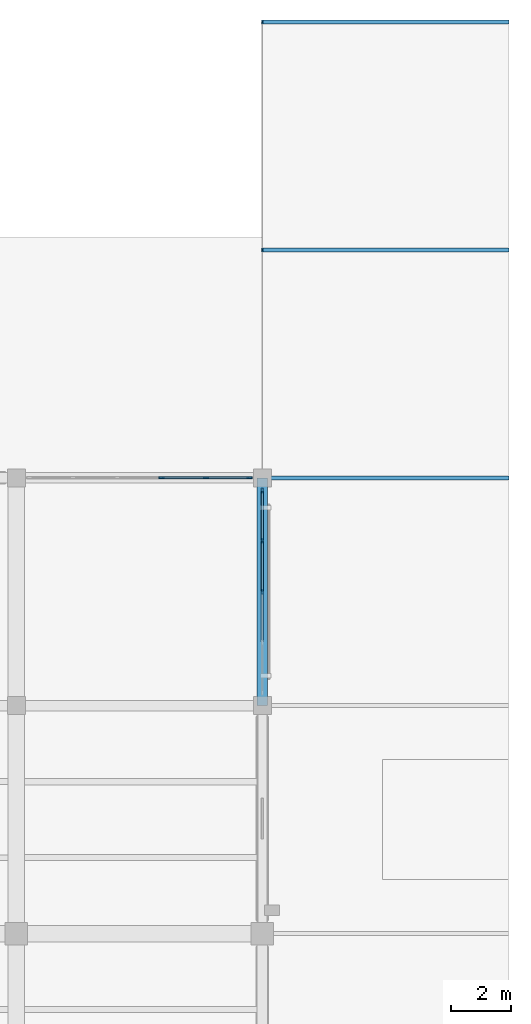
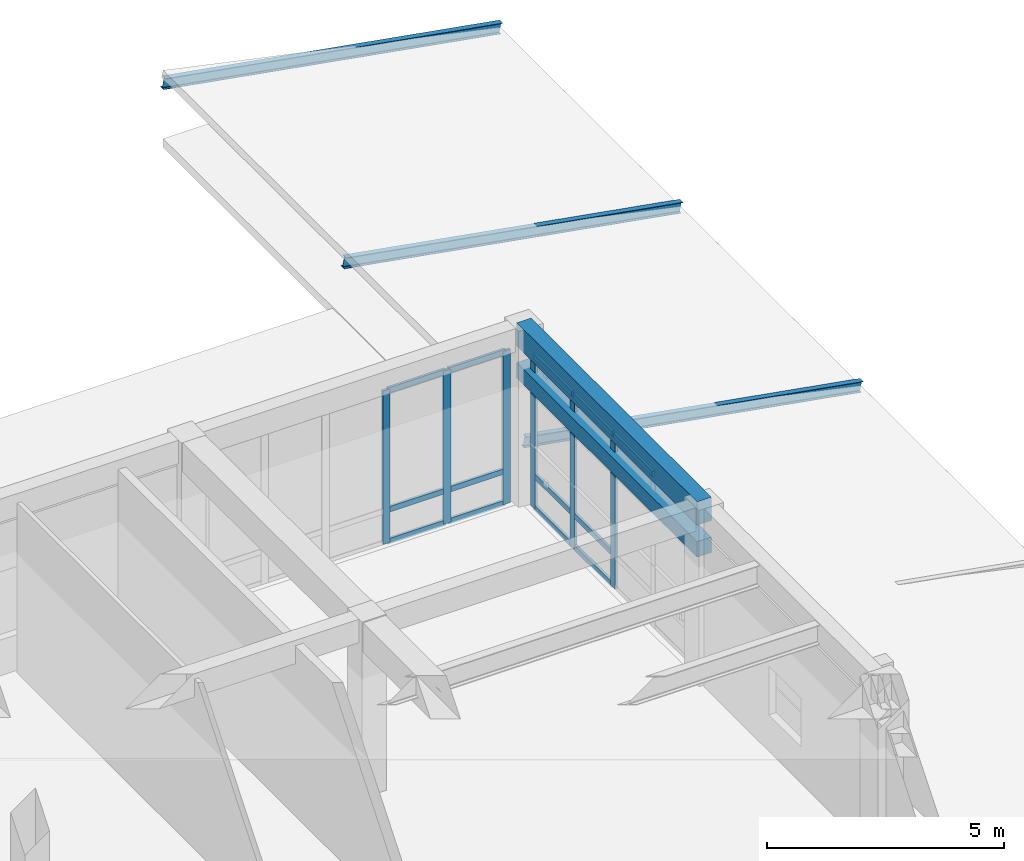
# One storey, part 27 of 57: 22 members, 2 beams, 2 elements without a shape of their own.
"""IFC4 building model written with IfcOpenShell, lengths in metres."""

from ifc_helpers import new_model, si_unit, direction, frame, origin, origin_2d, place, context, subcontext, project, spatial, rectangle, i_section, extrude, material, material_profile, profile_set, type_object, element, aggregate, save


model = new_model("IFC4")

# Units and contexts
model_context = context("Model", 3, precision=1e-05, world=origin(), true_north=direction((0.0, 1.0)))
body_context = subcontext(model_context, "Body", "Model", "MODEL_VIEW")
ifc_project = project(units=[si_unit("LENGTHUNIT", "METRE"), si_unit("AREAUNIT", "SQUARE_METRE"), si_unit("VOLUMEUNIT", "CUBIC_METRE"), si_unit("PLANEANGLEUNIT", "RADIAN"), si_unit("MASSUNIT", "GRAM", prefix="KILO")], contexts=[model_context])

# Site, building, storey
site_placement = place(None, origin())
site = spatial("IfcSite", under=ifc_project, at=site_placement, CompositionType="ELEMENT")
building_placement = place(site_placement, origin())
building = spatial("IfcBuilding", under=site, at=building_placement, Name="Qandaris Square Conservatory and Botanical Centre", CompositionType="ELEMENT")
storey_placement = place(building_placement, frame((0.0, 0.0, 5.39990234375)))
storey = spatial("IfcBuildingStorey", under=building, at=storey_placement, Name="L01", CompositionType="ELEMENT", Elevation=5.39990234375)

# Curtain wall, members
ifc_material_1 = material(Name="Anodised Aluminium", Category="aluminium")
curtain_wall_type_1 = type_object("IfcCurtainWallType", Name="Unitised Curtain Wall CW-4-680x394", PredefinedType="USERDEFINED", material=ifc_material_1)
curtain_wall_1_placement = place(storey_placement, origin())
curtain_wall_1 = element("IfcCurtainWall", 1, at=curtain_wall_1_placement, inside=storey, type_object=curtain_wall_type_1, Name="Curtain Wall CW-TWR-L01-2-12", ObjectType="GLAZED CURTAIN WALL", PredefinedType="USERDEFINED")
ifc_material_profile_1 = material_profile(ifc_material_1, rectangle(XDim=0.06494140625, YDim=0.179931640625, at=origin_2d()), Name="ALU-MUL 65x180")
ifc_profile_set_1 = profile_set([ifc_material_profile_1], Name="Anodised Aluminium")
member_type_1 = type_object("IfcMemberType", Name="Curtain Wall Mullion 65x180", PredefinedType="MULLION", material=ifc_profile_set_1)
member_1_placement = place(storey_placement, frame((163.800048828125, 104.0, 0.0), z_axis=(0.0, 0.0, 1.0), x_axis=(-1.0, 0.0, 0.0)))
member_1 = element("IfcMember", 2, at=member_1_placement, type_object=member_type_1, Name="CW-4-680x394 mullion 3", PredefinedType="MULLION", context=body_context, shape_type="SweptSolid", body=[
    extrude(rectangle(XDim=0.06494140625, YDim=0.179931640625, at=origin_2d()), origin(), (0.0, 0.0, 1.0), 3.945068359375),
])
member_2_placement = place(storey_placement, frame((163.800048828125, 105.699951171875, 0.0), z_axis=(0.0, 0.0, 1.0), x_axis=(-1.0, 0.0, 0.0)))
member_2 = element("IfcMember", 3, at=member_2_placement, type_object=member_type_1, Name="CW-4-680x394 mullion 4", PredefinedType="MULLION", context=body_context, shape_type="SweptSolid", body=[
    extrude(rectangle(XDim=0.06494140625, YDim=0.179931640625, at=origin_2d()), origin(), (0.0, 0.0, 1.0), 3.945068359375),
])
member_3_placement = place(storey_placement, frame((163.800048828125, 107.367431640625, 0.0), z_axis=(0.0, 0.0, 1.0), x_axis=(-1.0, 0.0, 0.0)))
member_3 = element("IfcMember", 4, at=member_3_placement, type_object=member_type_1, Name="CW-4-680x394 mullion 5", PredefinedType="MULLION", context=body_context, shape_type="SweptSolid", body=[
    extrude(rectangle(XDim=0.06494140625, YDim=0.179931640625, at=origin_2d()), origin(), (0.0, 0.0, 1.0), 3.945068359375),
])

curtain_wall_type_2 = type_object("IfcCurtainWallType", Name="Unitised Curtain Wall CW-3-740x394", PredefinedType="USERDEFINED", material=ifc_material_1)
curtain_wall_2_placement = place(storey_placement, origin())
curtain_wall_2 = element("IfcCurtainWall", 5, at=curtain_wall_2_placement, inside=storey, type_object=curtain_wall_type_2, Name="Curtain Wall CW-TWR-L01-3-1", ObjectType="GLAZED CURTAIN WALL", PredefinedType="USERDEFINED")
member_4_placement = place(storey_placement, frame((163.367431640625, 107.800048828125, 0.0), z_axis=(0.0, 0.0, 1.0), x_axis=(0.0, -1.0, 0.0)))
member_4 = element("IfcMember", 6, at=member_4_placement, type_object=member_type_1, Name="CW-3-740x394 mullion 1", PredefinedType="MULLION", context=body_context, shape_type="SweptSolid", body=[
    extrude(rectangle(XDim=0.06494140625, YDim=0.179931640625, at=origin_2d()), origin(), (0.0, 0.0, 1.0), 3.945068359375),
])
member_5_placement = place(storey_placement, frame((161.919921875, 107.800048828125, 0.0), z_axis=(0.0, 0.0, 1.0), x_axis=(0.0, -1.0, 0.0)))
member_5 = element("IfcMember", 7, at=member_5_placement, type_object=member_type_1, Name="CW-3-740x394 mullion 2", PredefinedType="MULLION", context=body_context, shape_type="SweptSolid", body=[
    extrude(rectangle(XDim=0.06494140625, YDim=0.179931640625, at=origin_2d()), origin(), (0.0, 0.0, 1.0), 3.945068359375),
])
member_6_placement = place(storey_placement, frame((160.43994140625, 107.800048828125, 0.0), z_axis=(0.0, 0.0, 1.0), x_axis=(0.0, -1.0, 0.0)))
member_6 = element("IfcMember", 8, at=member_6_placement, type_object=member_type_1, Name="CW-3-740x394 mullion 3", PredefinedType="MULLION", context=body_context, shape_type="SweptSolid", body=[
    extrude(rectangle(XDim=0.06494140625, YDim=0.179931640625, at=origin_2d()), origin(), (0.0, 0.0, 1.0), 3.945068359375),
])

# Member
ifc_material_profile_2 = material_profile(ifc_material_1, rectangle(XDim=0.06494140625, YDim=0.139892578125, at=origin_2d()), Name="ALU-TRN 65x140")
ifc_profile_set_2 = profile_set([ifc_material_profile_2], Name="Anodised Aluminium")
member_type_2 = type_object("IfcMemberType", Name="Curtain Wall Transom 65x140", PredefinedType="USERDEFINED", material=ifc_profile_set_2)
member_7_placement = place(storey_placement, frame((163.800048828125, 102.33251953125, 3.91259765625), z_axis=(0.0, 1.0, 0.0), x_axis=(-1.0, 0.0, 0.0)))
member_7 = element("IfcMember", 9, at=member_7_placement, type_object=member_type_2, Name="CW-4-680x394 transom 2.3", ObjectType="TRANSOM", PredefinedType="USERDEFINED", context=body_context, shape_type="SweptSolid", body=[
    extrude(rectangle(XDim=0.06494140625, YDim=0.139892578125, at=origin_2d()), origin(), (0.0, 0.0, 1.0), 1.635009765625),
])

member_8_placement = place(storey_placement, frame((163.800048828125, 104.032470703125, 0.03271484375), z_axis=(0.0, 1.0, 0.0), x_axis=(-1.0, 0.0, 0.0)))
member_8 = element("IfcMember", 10, at=member_8_placement, type_object=member_type_2, Name="CW-4-680x394 transom 3.1", ObjectType="TRANSOM", PredefinedType="USERDEFINED", context=body_context, shape_type="SweptSolid", body=[
    extrude(rectangle(XDim=0.06494140625, YDim=0.139892578125, at=origin_2d()), origin(), (0.0, 0.0, 1.0), 1.635009765625),
])

member_9_placement = place(storey_placement, frame((163.800048828125, 104.032470703125, 0.85009765625), z_axis=(0.0, 1.0, 0.0), x_axis=(-1.0, 0.0, 0.0)))
member_9 = element("IfcMember", 11, at=member_9_placement, type_object=member_type_2, Name="CW-4-680x394 transom 3.2", ObjectType="TRANSOM", PredefinedType="USERDEFINED", context=body_context, shape_type="SweptSolid", body=[
    extrude(rectangle(XDim=0.06494140625, YDim=0.139892578125, at=origin_2d()), origin(), (0.0, 0.0, 1.0), 1.635009765625),
])

member_10_placement = place(storey_placement, frame((163.800048828125, 104.032470703125, 3.91259765625), z_axis=(0.0, 1.0, 0.0), x_axis=(-1.0, 0.0, 0.0)))
member_10 = element("IfcMember", 12, at=member_10_placement, type_object=member_type_2, Name="CW-4-680x394 transom 3.3", ObjectType="TRANSOM", PredefinedType="USERDEFINED", context=body_context, shape_type="SweptSolid", body=[
    extrude(rectangle(XDim=0.06494140625, YDim=0.139892578125, at=origin_2d()), origin(), (0.0, 0.0, 1.0), 1.635009765625),
])

member_11_placement = place(storey_placement, frame((163.800048828125, 105.732421875, 0.03271484375), z_axis=(0.0, 1.0, 0.0), x_axis=(-1.0, 0.0, 0.0)))
member_11 = element("IfcMember", 13, at=member_11_placement, type_object=member_type_2, Name="CW-4-680x394 transom 4.1", ObjectType="TRANSOM", PredefinedType="USERDEFINED", context=body_context, shape_type="SweptSolid", body=[
    extrude(rectangle(XDim=0.06494140625, YDim=0.139892578125, at=origin_2d()), origin(), (0.0, 0.0, 1.0), 1.6025390625),
])

member_12_placement = place(storey_placement, frame((163.800048828125, 105.732421875, 0.85009765625), z_axis=(0.0, 1.0, 0.0), x_axis=(-1.0, 0.0, 0.0)))
member_12 = element("IfcMember", 14, at=member_12_placement, type_object=member_type_2, Name="CW-4-680x394 transom 4.2", ObjectType="TRANSOM", PredefinedType="USERDEFINED", context=body_context, shape_type="SweptSolid", body=[
    extrude(rectangle(XDim=0.06494140625, YDim=0.139892578125, at=origin_2d()), origin(), (0.0, 0.0, 1.0), 1.6025390625),
])

member_13_placement = place(storey_placement, frame((163.800048828125, 105.732421875, 3.91259765625), z_axis=(0.0, 1.0, 0.0), x_axis=(-1.0, 0.0, 0.0)))
member_13 = element("IfcMember", 15, at=member_13_placement, type_object=member_type_2, Name="CW-4-680x394 transom 4.3", ObjectType="TRANSOM", PredefinedType="USERDEFINED", context=body_context, shape_type="SweptSolid", body=[
    extrude(rectangle(XDim=0.06494140625, YDim=0.139892578125, at=origin_2d()), origin(), (0.0, 0.0, 1.0), 1.6025390625),
])

aggregate(curtain_wall_1, [member_1, member_2, member_3, member_7, member_8, member_9, member_10, member_11, member_12, member_13])

member_14_placement = place(storey_placement, frame((163.3349609375, 107.800048828125, 0.03271484375), z_axis=(-1.0, 0.0, 0.0), x_axis=(0.0, -1.0, 0.0)))
member_14 = element("IfcMember", 16, at=member_14_placement, type_object=member_type_2, Name="CW-3-740x394 transom 1.1", ObjectType="TRANSOM", PredefinedType="USERDEFINED", context=body_context, shape_type="SweptSolid", body=[
    extrude(rectangle(XDim=0.06494140625, YDim=0.139892578125, at=origin_2d()), origin(), (0.0, 0.0, 1.0), 1.382568359375),
])

member_15_placement = place(storey_placement, frame((163.3349609375, 107.800048828125, 0.85009765625), z_axis=(-1.0, 0.0, 0.0), x_axis=(0.0, -1.0, 0.0)))
member_15 = element("IfcMember", 17, at=member_15_placement, type_object=member_type_2, Name="CW-3-740x394 transom 1.2", ObjectType="TRANSOM", PredefinedType="USERDEFINED", context=body_context, shape_type="SweptSolid", body=[
    extrude(rectangle(XDim=0.06494140625, YDim=0.139892578125, at=origin_2d()), origin(), (0.0, 0.0, 1.0), 1.382568359375),
])

member_16_placement = place(storey_placement, frame((163.3349609375, 107.800048828125, 3.91259765625), z_axis=(-1.0, 0.0, 0.0), x_axis=(0.0, -1.0, 0.0)))
member_16 = element("IfcMember", 18, at=member_16_placement, type_object=member_type_2, Name="CW-3-740x394 transom 1.3", ObjectType="TRANSOM", PredefinedType="USERDEFINED", context=body_context, shape_type="SweptSolid", body=[
    extrude(rectangle(XDim=0.06494140625, YDim=0.139892578125, at=origin_2d()), origin(), (0.0, 0.0, 1.0), 1.382568359375),
])

member_17_placement = place(storey_placement, frame((161.887451171875, 107.800048828125, 0.03271484375), z_axis=(-1.0, 0.0, 0.0), x_axis=(0.0, -1.0, 0.0)))
member_17 = element("IfcMember", 19, at=member_17_placement, type_object=member_type_2, Name="CW-3-740x394 transom 2.1", ObjectType="TRANSOM", PredefinedType="USERDEFINED", context=body_context, shape_type="SweptSolid", body=[
    extrude(rectangle(XDim=0.06494140625, YDim=0.139892578125, at=origin_2d()), origin(), (0.0, 0.0, 1.0), 1.4150390625),
])

member_18_placement = place(storey_placement, frame((161.887451171875, 107.800048828125, 0.85009765625), z_axis=(-1.0, 0.0, 0.0), x_axis=(0.0, -1.0, 0.0)))
member_18 = element("IfcMember", 20, at=member_18_placement, type_object=member_type_2, Name="CW-3-740x394 transom 2.2", ObjectType="TRANSOM", PredefinedType="USERDEFINED", context=body_context, shape_type="SweptSolid", body=[
    extrude(rectangle(XDim=0.06494140625, YDim=0.139892578125, at=origin_2d()), origin(), (0.0, 0.0, 1.0), 1.4150390625),
])

member_19_placement = place(storey_placement, frame((161.887451171875, 107.800048828125, 3.91259765625), z_axis=(-1.0, 0.0, 0.0), x_axis=(0.0, -1.0, 0.0)))
member_19 = element("IfcMember", 21, at=member_19_placement, type_object=member_type_2, Name="CW-3-740x394 transom 2.3", ObjectType="TRANSOM", PredefinedType="USERDEFINED", context=body_context, shape_type="SweptSolid", body=[
    extrude(rectangle(XDim=0.06494140625, YDim=0.139892578125, at=origin_2d()), origin(), (0.0, 0.0, 1.0), 1.4150390625),
])

aggregate(curtain_wall_2, [member_4, member_5, member_6, member_14, member_15, member_16, member_17, member_18, member_19])

# Beams
ifc_material_2 = material(Name="Precast concrete C40/50", Category="concrete")
ifc_material_profile_3 = material_profile(ifc_material_2, rectangle(XDim=0.35009765625, YDim=0.39990234375, at=origin_2d()), Name="RC-LN 350x400")
ifc_profile_set_3 = profile_set([ifc_material_profile_3], Name="Precast concrete C40/50")
beam_type_1 = type_object("IfcBeamType", Name="Precast Opening Lintel 350x400", PredefinedType="LINTEL", material=ifc_profile_set_3)
beam_1_placement = place(storey_placement, frame((163.800048828125, 100.199951171875, 3.320068359375), z_axis=(0.0, 1.0, 0.0), x_axis=(-1.0, 0.0, 0.0)))
element("IfcBeam", 22, at=beam_1_placement, inside=storey, type_object=beam_type_1, Name="Precast Lintel 025", PredefinedType="LINTEL", context=body_context, shape_type="SweptSolid", body=[
    extrude(rectangle(XDim=0.35009765625, YDim=0.39990234375, at=origin_2d()), origin(), (0.0, 0.0, 1.0), 7.60009765625),
])
ifc_material_3 = material(Name="Concrete C50/60", Category="concrete")
ifc_material_profile_4 = material_profile(ifc_material_3, rectangle(XDim=0.35009765625, YDim=0.60009765625, at=origin_2d()), Name="RC-SP 350x600")
ifc_profile_set_4 = profile_set([ifc_material_profile_4], Name="Concrete C50/60")
beam_type_2 = type_object("IfcBeamType", Name="RC Edge Spandrel Beam 350x600", PredefinedType="SPANDREL", material=ifc_profile_set_4)
beam_2_placement = place(storey_placement, frame((163.800048828125, 100.199951171875, 4.2451171875), z_axis=(0.0, 1.0, 0.0), x_axis=(-1.0, 0.0, 0.0)))
element("IfcBeam", 23, at=beam_2_placement, inside=storey, type_object=beam_type_2, Name="L01 Frame Beam 1154", PredefinedType="SPANDREL", context=body_context, shape_type="SweptSolid", body=[
    extrude(rectangle(XDim=0.35009765625, YDim=0.60009765625, at=origin_2d()), origin(), (0.0, 0.0, 1.0), 7.60009765625),
])

# Members
ifc_material_4 = material(Name="Steel S355", Category="steel")
ifc_material_profile_5 = material_profile(ifc_material_4, i_section(OverallWidth=0.135009765625, OverallDepth=0.27001953125, WebThickness=0.006591796875, FlangeThickness=0.01025390625, FilletRadius=0.014892578125, at=origin_2d()), Name="IPE 270")
ifc_profile_set_5 = profile_set([ifc_material_profile_5], Name="Steel S355")
member_type_3 = type_object("IfcMemberType", Name="Visitor Wing Prairie Rafter IPE 270", PredefinedType="RAFTER", material=ifc_profile_set_5)
for number, where, z_axis, x_axis, name in (
    (24, (172.0, 107.800048828125, 0.0), (-0.984924346364, 0.0, 0.172985640849), (0.0, -1.0, 0.0), "Colonnade East Rafter 059"),
    (25, (172.0, 115.39990234375, 0.0), (-0.984924346364, 0.0, 0.172985640849), (0.0, -1.0, 0.0), "Colonnade East Rafter 061"),
    (26, (172.0, 123.0, 0.0), (-0.984924346364, 0.0, 0.172985640849), (0.0, -1.0, 0.0), "Colonnade East Rafter 063"),
):
    element("IfcMember", number, at=place(storey_placement, frame(where, z_axis=z_axis, x_axis=x_axis)), inside=storey, type_object=member_type_3, Name=name, PredefinedType="RAFTER", context=body_context, shape_type="SweptSolid", body=[
        extrude(i_section(OverallWidth=0.135009765625, OverallDepth=0.27001953125, WebThickness=0.006591796875, FlangeThickness=0.01025390625, FilletRadius=0.014892578125, at=origin_2d()), origin(), (0.0, 0.0, 1.0), 8.325439453125),
    ])

save(model, "model.ifc")
